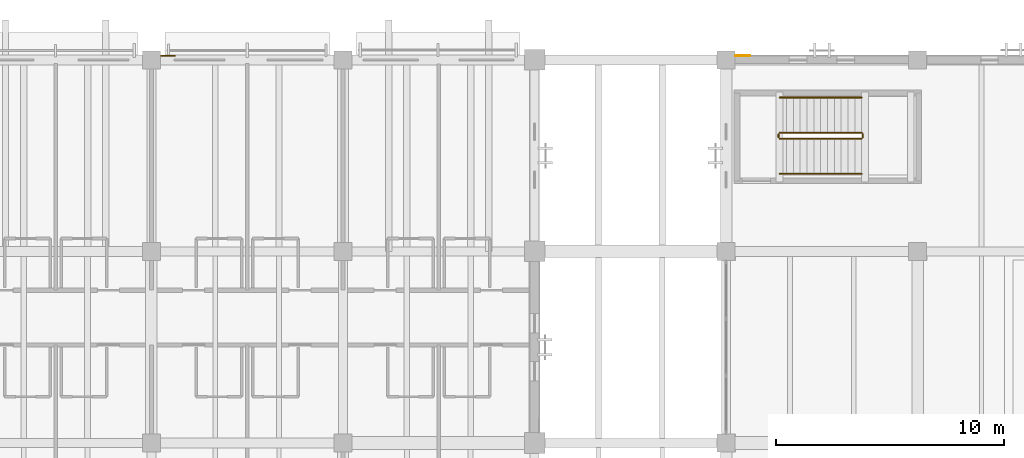
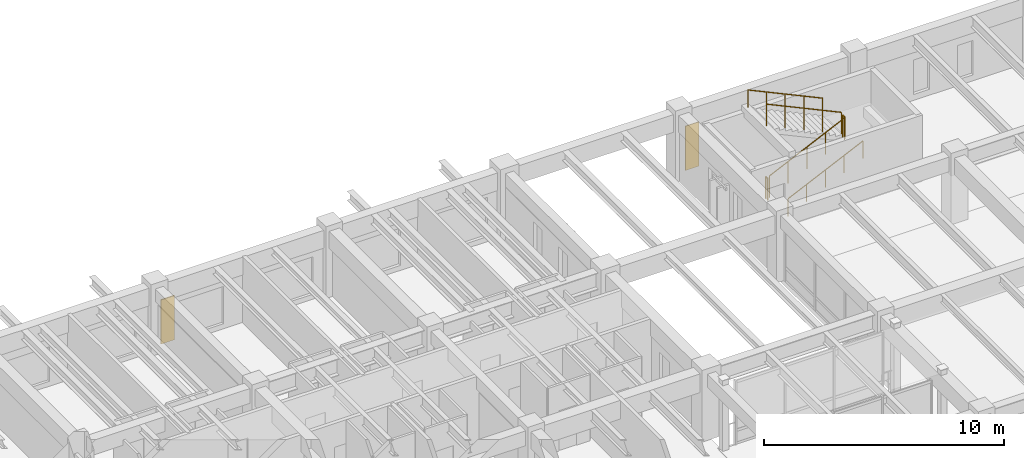
# One storey, part 108 of 118: 6 railings, 2 coverings.
"""IFC4 building model written with IfcOpenShell, lengths in metres."""

from ifc_helpers import new_model, si_unit, direction, frame, origin, origin_2d, place, context, subcontext, project, spatial, polyline, circle, outline, extrude, material, layer, layer_set, type_object, element, save


model = new_model("IFC4")

# Units and contexts
model_context = context("Model", 3, precision=1e-05, world=origin(), true_north=direction((0.0, 1.0)))
body_context = subcontext(model_context, "Body", "Model", "MODEL_VIEW")
ifc_project = project(units=[si_unit("LENGTHUNIT", "METRE"), si_unit("AREAUNIT", "SQUARE_METRE"), si_unit("VOLUMEUNIT", "CUBIC_METRE"), si_unit("PLANEANGLEUNIT", "RADIAN"), si_unit("MASSUNIT", "GRAM", prefix="KILO")], contexts=[model_context])

# Site, building, storey
site_placement = place(None, origin())
site = spatial("IfcSite", under=ifc_project, at=site_placement, CompositionType="ELEMENT")
building_placement = place(site_placement, origin())
building = spatial("IfcBuilding", under=site, at=building_placement, Name="Cumbredor Promenade Congress Hotel", CompositionType="ELEMENT")
storey_placement = place(building_placement, frame((0.0, 0.0, 3.919921875)))
storey = spatial("IfcBuildingStorey", under=building, at=storey_placement, Name="L01", CompositionType="ELEMENT", Elevation=3.919921875)

# Covering
ifc_material_1 = material(Name="Precast concrete C40/50", Category="concrete")
ifc_layer_1 = layer(ifc_material_1, 0.044921875, Name="Precast concrete C40/50", Category="concrete")
ifc_layer_set_1 = layer_set([ifc_layer_1], Name="Precast concrete C40/50")
covering_type_1 = type_object("IfcCoveringType", Name="Board-Formed Architectural Cladding Panel 45mm", PredefinedType="CLADDING", material=ifc_layer_set_1)
covering_1_placement = place(storey_placement, origin())
element("IfcCovering", 1, at=covering_1_placement, inside=storey, type_object=covering_type_1, Name="L01 Facade Stone Cladding Pier 088", PredefinedType="CLADDING", context=body_context, shape_type="SweptSolid", body=[
    extrude(outline(polyline([(67.60107421875, 117.762451171875), (68.2509765625, 117.762451171875), (68.2509765625, 117.8076171875), (67.60107421875, 117.8076171875), (67.60107421875, 117.762451171875)])), origin(), (0.0, 0.0, 1.0), 2.25),
])

# Railings
ifc_material_2 = material(Name="Brushed stainless steel", Category="steel")
railing_type_1 = type_object("IfcRailingType", Name="Interior Void & Stair Guardrail GR-1100", PredefinedType="GUARDRAIL", material=ifc_material_2)
railing_1_placement = place(storey_placement, frame((94.75, 114.14990234375, 0.14013671875)))
element("IfcRailing", 2, at=railing_1_placement, inside=storey, type_object=railing_type_1, Name="L01 ST-15 stair guard 1", PredefinedType="GUARDRAIL", context=body_context, shape_type="SweptSolid", body=[
    extrude(circle(Radius=0.02392578125, at=origin_2d()), frame((0.0, 0.0, 1.09619140625), z_axis=(0.906194129559, 0.0, 0.422861915468), x_axis=(0.0, 1.0, 0.0)), (0.0, 0.0, 1.0), 3.97265625),
    extrude(circle(Radius=0.02099609375, at=origin_2d()), origin(), (0.0, 0.0, 1.0), 1.072021484375),
    extrude(circle(Radius=0.02099609375, at=origin_2d()), frame((0.89990234375, 0.0, 0.419921875)), (0.0, 0.0, 1.0), 1.072021484375),
    extrude(circle(Radius=0.02099609375, at=origin_2d()), frame((1.800048828125, 0.0, 0.83984375)), (0.0, 0.0, 1.0), 1.072021484375),
    extrude(circle(Radius=0.02099609375, at=origin_2d()), frame((2.7001953125, 0.0, 1.260009765625)), (0.0, 0.0, 1.0), 1.072021484375),
    extrude(circle(Radius=0.02099609375, at=origin_2d()), frame((3.60009765625, 0.0, 1.679931640625)), (0.0, 0.0, 1.0), 1.072021484375),
])
railing_2_placement = place(storey_placement, frame((98.39990234375, 114.199951171875, 1.820068359375)))
element("IfcRailing", 3, at=railing_2_placement, inside=storey, type_object=railing_type_1, Name="L01 ST-15 stair guard 2", PredefinedType="GUARDRAIL", context=body_context, shape_type="SweptSolid", body=[
    extrude(circle(Radius=0.02392578125, at=origin_2d()), frame((0.0, 0.0, 1.09619140625), z_axis=(0.0, 1.0, 0.0), x_axis=(-1.0, 0.0, 0.0)), (0.0, 0.0, 1.0), 0.150146484375),
    extrude(circle(Radius=0.02099609375, at=origin_2d()), origin(), (0.0, 0.0, 1.0), 1.072021484375),
    extrude(circle(Radius=0.02099609375, at=origin_2d()), frame((0.0, 0.150146484375, 0.0)), (0.0, 0.0, 1.0), 1.072021484375),
])
railing_3_placement = place(storey_placement, frame((98.35009765625, 114.39990234375, 1.9599609375)))
element("IfcRailing", 4, at=railing_3_placement, inside=storey, type_object=railing_type_1, Name="L01 ST-15 stair guard 3", PredefinedType="GUARDRAIL", context=body_context, shape_type="SweptSolid", body=[
    extrude(circle(Radius=0.02392578125, at=origin_2d()), frame((0.0, 0.0, 1.09619140625), z_axis=(-0.906170580071, 0.0, 0.422912378411), x_axis=(0.0, -1.0, 0.0)), (0.0, 0.0, 1.0), 3.972900390625),
    extrude(circle(Radius=0.02099609375, at=origin_2d()), origin(), (0.0, 0.0, 1.0), 1.072021484375),
    extrude(circle(Radius=0.02099609375, at=origin_2d()), frame((-0.89990234375, 0.0, 0.419921875)), (0.0, 0.0, 1.0), 1.072021484375),
    extrude(circle(Radius=0.02099609375, at=origin_2d()), frame((-1.800048828125, 0.0, 0.840087890625)), (0.0, 0.0, 1.0), 1.072021484375),
    extrude(circle(Radius=0.02099609375, at=origin_2d()), frame((-2.7001953125, 0.0, 1.26025390625)), (0.0, 0.0, 1.0), 1.072021484375),
    extrude(circle(Radius=0.02099609375, at=origin_2d()), frame((-3.60009765625, 0.0, 1.68017578125)), (0.0, 0.0, 1.0), 1.072021484375),
])
railing_4_placement = place(storey_placement, frame((94.699951171875, 114.199951171875, 0.0)))
element("IfcRailing", 5, at=railing_4_placement, inside=storey, type_object=railing_type_1, Name="L01 ST-15 stair guard 4", PredefinedType="GUARDRAIL", context=body_context, shape_type="SweptSolid", body=[
    extrude(circle(Radius=0.02392578125, at=origin_2d()), frame((0.0, 0.0, 1.09619140625), z_axis=(0.0, 1.0, 0.0), x_axis=(-1.0, 0.0, 0.0)), (0.0, 0.0, 1.0), 0.150146484375),
    extrude(circle(Radius=0.02099609375, at=origin_2d()), origin(), (0.0, 0.0, 1.0), 1.072021484375),
    extrude(circle(Radius=0.02099609375, at=origin_2d()), frame((0.0, 0.150146484375, 0.0)), (0.0, 0.0, 1.0), 1.072021484375),
])
railing_type_2 = type_object("IfcRailingType", Name="Stair Pitch Handrail HR-900", PredefinedType="HANDRAIL", material=ifc_material_2)
railing_5_placement = place(storey_placement, frame((94.75, 112.60009765625, 0.14013671875)))
element("IfcRailing", 6, at=railing_5_placement, inside=storey, type_object=railing_type_2, Name="L01 ST-15 stair handrail 1", PredefinedType="HANDRAIL", context=body_context, shape_type="SweptSolid", body=[
    extrude(circle(Radius=0.02392578125, at=origin_2d()), frame((0.0, 0.0, 0.8759765625), z_axis=(0.906194129559, 0.0, 0.422861915468), x_axis=(0.0, 1.0, 0.0)), (0.0, 0.0, 1.0), 3.97265625),
    extrude(circle(Radius=0.02099609375, at=origin_2d()), origin(), (0.0, 0.0, 1.0), 0.851806640625),
    extrude(circle(Radius=0.02099609375, at=origin_2d()), frame((0.89990234375, 0.0, 0.419921875)), (0.0, 0.0, 1.0), 0.851806640625),
    extrude(circle(Radius=0.02099609375, at=origin_2d()), frame((1.800048828125, 0.0, 0.83984375)), (0.0, 0.0, 1.0), 0.851806640625),
    extrude(circle(Radius=0.02099609375, at=origin_2d()), frame((2.7001953125, 0.0, 1.260009765625)), (0.0, 0.0, 1.0), 0.851806640625),
    extrude(circle(Radius=0.02099609375, at=origin_2d()), frame((3.60009765625, 0.0, 1.679931640625)), (0.0, 0.0, 1.0), 0.851806640625),
])
railing_6_placement = place(storey_placement, frame((98.35009765625, 115.949951171875, 1.9599609375)))
element("IfcRailing", 7, at=railing_6_placement, inside=storey, type_object=railing_type_2, Name="L01 ST-15 stair handrail 2", PredefinedType="HANDRAIL", context=body_context, shape_type="SweptSolid", body=[
    extrude(circle(Radius=0.02392578125, at=origin_2d()), frame((0.0, 0.0, 0.8759765625), z_axis=(-0.906170580071, 0.0, 0.422912378411), x_axis=(0.0, -1.0, 0.0)), (0.0, 0.0, 1.0), 3.972900390625),
    extrude(circle(Radius=0.02099609375, at=origin_2d()), origin(), (0.0, 0.0, 1.0), 0.851806640625),
    extrude(circle(Radius=0.02099609375, at=origin_2d()), frame((-0.89990234375, 0.0, 0.419921875)), (0.0, 0.0, 1.0), 0.851806640625),
    extrude(circle(Radius=0.02099609375, at=origin_2d()), frame((-1.800048828125, 0.0, 0.840087890625)), (0.0, 0.0, 1.0), 0.851806640625),
    extrude(circle(Radius=0.02099609375, at=origin_2d()), frame((-2.7001953125, 0.0, 1.26025390625)), (0.0, 0.0, 1.0), 0.851806640625),
    extrude(circle(Radius=0.02099609375, at=origin_2d()), frame((-3.60009765625, 0.0, 1.68017578125)), (0.0, 0.0, 1.0), 0.851806640625),
])

# Covering
ifc_material_3 = material(Name="Volcanic andesite ashlar cladding", Category="masonry")
ifc_layer_2 = layer(ifc_material_3, 0.034912109375, Name="Volcanic andesite ashlar cladding", Category="masonry")
ifc_layer_set_2 = layer_set([ifc_layer_2], Name="Volcanic andesite ashlar cladding")
covering_type_2 = type_object("IfcCoveringType", Name="Volcanic Andesite Ashlar Rainscreen Cladding 35mm", PredefinedType="CLADDING", material=ifc_layer_set_2)
covering_2_placement = place(storey_placement, origin())
element("IfcCovering", 8, at=covering_2_placement, inside=storey, type_object=covering_type_2, Name="L01 Facade Stone Cladding Pier 073", PredefinedType="CLADDING", context=body_context, shape_type="SweptSolid", body=[
    extrude(outline(polyline([(92.801025390625, 117.762451171875), (93.450927734375, 117.762451171875), (93.450927734375, 117.797607421875), (92.801025390625, 117.797607421875), (92.801025390625, 117.762451171875)])), origin(), (0.0, 0.0, 1.0), 2.25),
])

save(model, "model.ifc")
